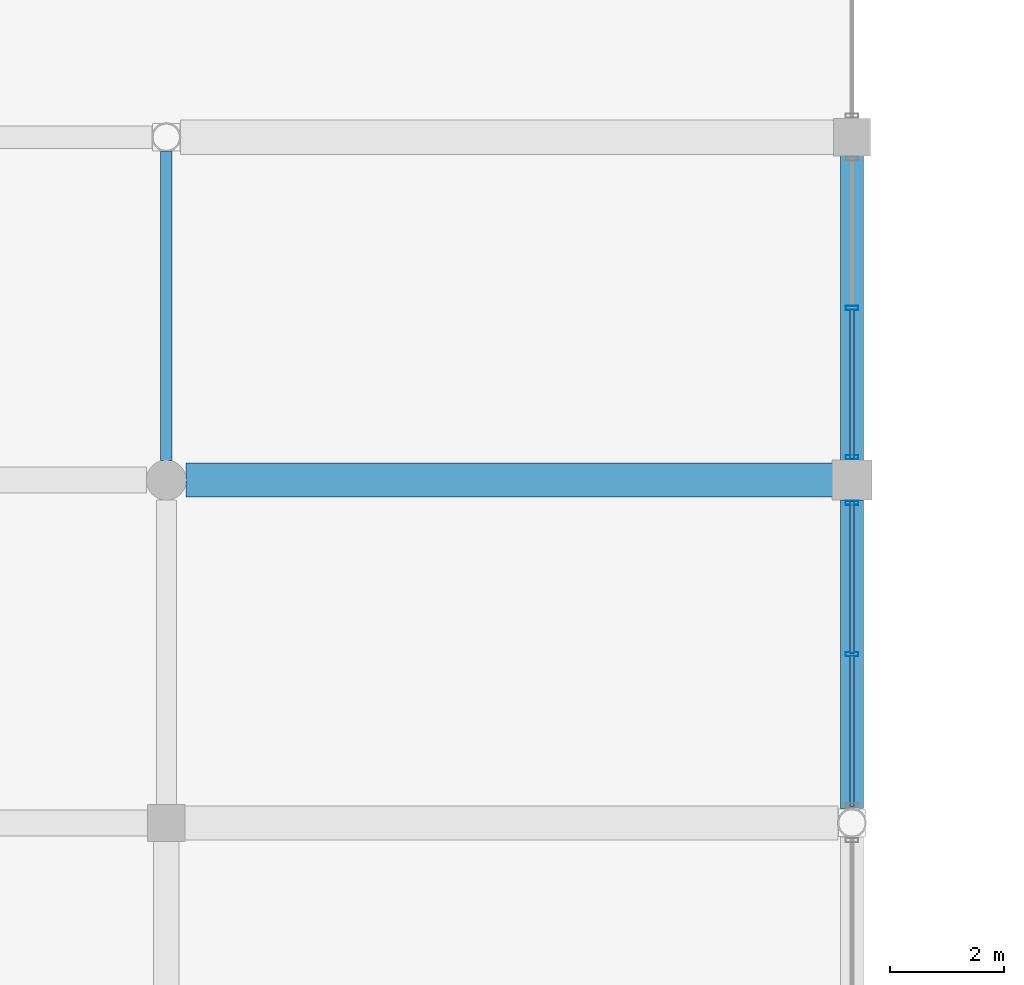
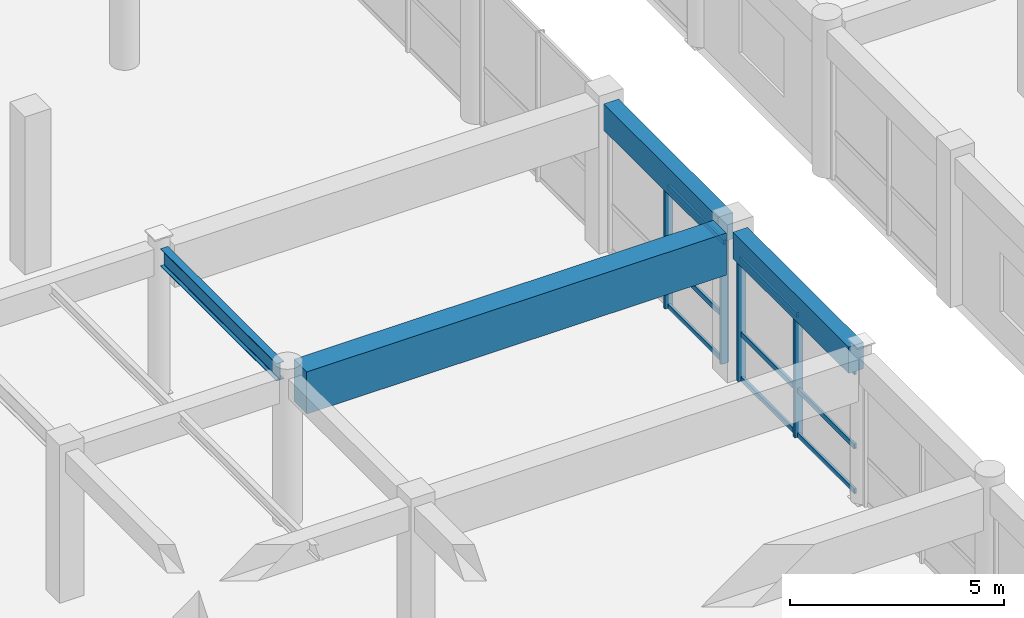
# One storey, part 53 of 116: 13 members, 4 beams, 2 elements without a shape of their own.
"""IFC4 building model written with IfcOpenShell, lengths in metres."""

from ifc_helpers import new_model, si_unit, direction, frame, origin, origin_2d, place, context, subcontext, project, spatial, rectangle, hollow_rectangle, i_section, extrude, material, material_profile, profile_set, type_object, element, aggregate, save


model = new_model("IFC4")

# Units and contexts
model_context = context("Model", 3, precision=1e-05, world=origin(), true_north=direction((0.0, 1.0)))
body_context = subcontext(model_context, "Body", "Model", "MODEL_VIEW")
ifc_project = project(units=[si_unit("LENGTHUNIT", "METRE"), si_unit("AREAUNIT", "SQUARE_METRE"), si_unit("VOLUMEUNIT", "CUBIC_METRE"), si_unit("PLANEANGLEUNIT", "RADIAN"), si_unit("MASSUNIT", "GRAM", prefix="KILO"), si_unit("THERMODYNAMICTEMPERATUREUNIT", "KELVIN"), si_unit("POWERUNIT", "WATT")], contexts=[model_context])

# Site, building, storey
site_placement = place(None, origin())
site = spatial("IfcSite", under=ifc_project, at=site_placement, CompositionType="ELEMENT")
building_placement = place(site_placement, origin())
building = spatial("IfcBuilding", under=site, at=building_placement, Name="Phaisarnlok Congress Hotel", CompositionType="ELEMENT")
storey_placement = place(building_placement, frame((0.0, 0.0, 10.5)))
storey = spatial("IfcBuildingStorey", under=building, at=storey_placement, Name="L02", CompositionType="ELEMENT", Elevation=10.5)

# Beams
ifc_material_1 = material(Name="Concrete C50/60", Category="concrete")
ifc_material_profile_1 = material_profile(ifc_material_1, rectangle(XDim=0.60009765625, YDim=1.199951171875, at=origin_2d()), Name="RC 600x1200")
ifc_profile_set_1 = profile_set([ifc_material_profile_1], Name="Concrete C50/60")
beam_type_1 = type_object("IfcBeamType", Name="BM-RC-600x1200", PredefinedType="BEAM", material=ifc_profile_set_1)
beam_1_placement = place(storey_placement, frame((144.344970703125, 60.0, 3.639892578125), z_axis=(1.0, 0.0, 0.0), x_axis=(0.0, 1.0, 0.0)))
element("IfcBeam", 1, at=beam_1_placement, inside=storey, type_object=beam_type_1, Name="Ramp bay 12m girder B-06", PredefinedType="BEAM", context=body_context, shape_type="SweptSolid", body=[
    extrude(rectangle(XDim=0.60009765625, YDim=1.199951171875, at=origin_2d()), origin(), (0.0, 0.0, 1.0), 11.31005859375),
])
ifc_material_2 = material(Name="Steel S355", Category="steel")
ifc_material_profile_2 = material_profile(ifc_material_2, i_section(OverallWidth=0.199951171875, OverallDepth=0.5, WebThickness=0.01025390625, FlangeThickness=0.01611328125, FilletRadius=0.02099609375, at=origin_2d()), Name="IPE 500")
ifc_profile_set_2 = profile_set([ifc_material_profile_2], Name="Steel S355")
beam_type_2 = type_object("IfcBeamType", Name="BM-STL-IPE500", PredefinedType="BEAM", material=ifc_profile_set_2)
beam_2_placement = place(storey_placement, frame((144.0, 60.344970703125, 3.989990234375), z_axis=(0.0, 1.0, 0.0), x_axis=(-1.0, 0.0, 0.0)))
element("IfcBeam", 2, at=beam_2_placement, inside=storey, type_object=beam_type_2, Name="Beam SB-02", PredefinedType="BEAM", context=body_context, shape_type="SweptSolid", body=[
    extrude(i_section(OverallWidth=0.199951171875, OverallDepth=0.5, WebThickness=0.01025390625, FlangeThickness=0.01611328125, FilletRadius=0.02099609375, at=origin_2d()), origin(), (0.0, 0.0, 1.0), 5.406005859375),
])

# Curtain wall, members
ifc_material_3 = material(Name="Thermally Broken Unitised Aluminium & Low-E Glazing", Category="aluminium")
curtain_wall_type_1 = type_object("IfcCurtainWallType", Name="CW-UNIT-17", PredefinedType="NOTDEFINED", material=ifc_material_3)
curtain_wall_1_placement = place(storey_placement, origin())
curtain_wall_1 = element("IfcCurtainWall", 3, at=curtain_wall_1_placement, inside=storey, type_object=curtain_wall_type_1, Name="Unitised curtain wall CW-17 (L02)", PredefinedType="NOTDEFINED")
ifc_material_4 = material(Name="Anodised Aluminium Alloy 6063-T6", Category="aluminium")
ifc_material_profile_3 = material_profile(ifc_material_4, hollow_rectangle(XDim=0.074951171875, YDim=0.219970703125, WallThickness=0.0048828125, at=origin_2d()), Name="ALU-M 75x220x5")
ifc_profile_set_3 = profile_set([ifc_material_profile_3], Name="Anodised Aluminium Alloy 6063-T6")
member_type_1 = type_object("IfcMemberType", Name="CWM-220", PredefinedType="MULLION", material=ifc_profile_set_3)
member_1_placement = place(storey_placement, frame((156.0, 56.951904296875, 0.0), z_axis=(0.0, 0.0, 1.0), x_axis=(0.0, 1.0, 0.0)))
member_1 = element("IfcMember", 4, at=member_1_placement, type_object=member_type_1, Name="Curtain wall mullion CWM-02", PredefinedType="MULLION", context=body_context, shape_type="SweptSolid", body=[
    extrude(hollow_rectangle(XDim=0.074951171875, YDim=0.219970703125, WallThickness=0.0048828125, at=origin_2d()), origin(), (0.0, 0.0, 1.0), 3.489990234375),
])
member_2_placement = place(storey_placement, frame((156.0, 59.60009765625, 0.0), z_axis=(0.0, 0.0, 1.0), x_axis=(0.0, 1.0, 0.0)))
member_2 = element("IfcMember", 5, at=member_2_placement, type_object=member_type_1, Name="Curtain wall mullion CWM-02", PredefinedType="MULLION", context=body_context, shape_type="SweptSolid", body=[
    extrude(hollow_rectangle(XDim=0.074951171875, YDim=0.219970703125, WallThickness=0.0048828125, at=origin_2d()), origin(), (0.0, 0.0, 1.0), 3.489990234375),
])

curtain_wall_type_2 = type_object("IfcCurtainWallType", Name="CW-UNIT-16", PredefinedType="NOTDEFINED", material=ifc_material_3)
curtain_wall_2_placement = place(storey_placement, origin())
curtain_wall_2 = element("IfcCurtainWall", 6, at=curtain_wall_2_placement, inside=storey, type_object=curtain_wall_type_2, Name="Unitised curtain wall CW-16 (L02)", PredefinedType="NOTDEFINED")
member_3_placement = place(storey_placement, frame((156.0, 60.39990234375, 0.0), z_axis=(0.0, 0.0, 1.0), x_axis=(0.0, 1.0, 0.0)))
member_3 = element("IfcMember", 7, at=member_3_placement, type_object=member_type_1, Name="Curtain wall mullion CWM-02", PredefinedType="MULLION", context=body_context, shape_type="SweptSolid", body=[
    extrude(hollow_rectangle(XDim=0.074951171875, YDim=0.219970703125, WallThickness=0.0048828125, at=origin_2d()), origin(), (0.0, 0.0, 1.0), 3.489990234375),
])
member_4_placement = place(storey_placement, frame((156.0, 63.012451171875, 0.0), z_axis=(0.0, 0.0, 1.0), x_axis=(0.0, 1.0, 0.0)))
member_4 = element("IfcMember", 8, at=member_4_placement, type_object=member_type_1, Name="Curtain wall mullion CWM-02", PredefinedType="MULLION", context=body_context, shape_type="SweptSolid", body=[
    extrude(hollow_rectangle(XDim=0.074951171875, YDim=0.219970703125, WallThickness=0.0048828125, at=origin_2d()), origin(), (0.0, 0.0, 1.0), 3.489990234375),
])

# Member
ifc_material_profile_4 = material_profile(ifc_material_4, hollow_rectangle(XDim=0.06494140625, YDim=0.139892578125, WallThickness=0.00390625, at=origin_2d()), Name="ALU-T 65x140x4")
ifc_profile_set_4 = profile_set([ifc_material_profile_4], Name="Anodised Aluminium Alloy 6063-T6")
member_type_2 = type_object("IfcMemberType", Name="CWT-150", PredefinedType="USERDEFINED", material=ifc_profile_set_4)
member_5_placement = place(storey_placement, frame((156.0, 54.279052734375, 0.050048828125), z_axis=(0.0, 1.0, 0.0), x_axis=(-1.0, 0.0, 0.0)))
member_5 = element("IfcMember", 9, at=member_5_placement, type_object=member_type_2, Name="Curtain wall transom CWT-01", ObjectType="TRANSOM", PredefinedType="USERDEFINED", context=body_context, shape_type="SweptSolid", body=[
    extrude(hollow_rectangle(XDim=0.06494140625, YDim=0.139892578125, WallThickness=0.00390625, at=origin_2d()), origin(), (0.0, 0.0, 1.0), 2.657958984375),
])

member_6_placement = place(storey_placement, frame((156.0, 54.279052734375, 1.326171875), z_axis=(0.0, 1.0, 0.0), x_axis=(-1.0, 0.0, 0.0)))
member_6 = element("IfcMember", 10, at=member_6_placement, type_object=member_type_2, Name="Curtain wall transom CWT-01", ObjectType="TRANSOM", PredefinedType="USERDEFINED", context=body_context, shape_type="SweptSolid", body=[
    extrude(hollow_rectangle(XDim=0.06494140625, YDim=0.139892578125, WallThickness=0.00390625, at=origin_2d()), origin(), (0.0, 0.0, 1.0), 2.657958984375),
])

member_7_placement = place(storey_placement, frame((156.0, 54.279052734375, 3.43994140625), z_axis=(0.0, 1.0, 0.0), x_axis=(-1.0, 0.0, 0.0)))
member_7 = element("IfcMember", 11, at=member_7_placement, type_object=member_type_2, Name="Curtain wall transom CWT-01", ObjectType="TRANSOM", PredefinedType="USERDEFINED", context=body_context, shape_type="SweptSolid", body=[
    extrude(hollow_rectangle(XDim=0.06494140625, YDim=0.139892578125, WallThickness=0.00390625, at=origin_2d()), origin(), (0.0, 0.0, 1.0), 2.657958984375),
])

member_8_placement = place(storey_placement, frame((156.0, 56.967041015625, 0.050048828125), z_axis=(0.0, 1.0, 0.0), x_axis=(-1.0, 0.0, 0.0)))
member_8 = element("IfcMember", 12, at=member_8_placement, type_object=member_type_2, Name="Curtain wall transom CWT-01", ObjectType="TRANSOM", PredefinedType="USERDEFINED", context=body_context, shape_type="SweptSolid", body=[
    extrude(hollow_rectangle(XDim=0.06494140625, YDim=0.139892578125, WallThickness=0.00390625, at=origin_2d()), origin(), (0.0, 0.0, 1.0), 2.657958984375),
])

member_9_placement = place(storey_placement, frame((156.0, 56.967041015625, 1.326171875), z_axis=(0.0, 1.0, 0.0), x_axis=(-1.0, 0.0, 0.0)))
member_9 = element("IfcMember", 13, at=member_9_placement, type_object=member_type_2, Name="Curtain wall transom CWT-01", ObjectType="TRANSOM", PredefinedType="USERDEFINED", context=body_context, shape_type="SweptSolid", body=[
    extrude(hollow_rectangle(XDim=0.06494140625, YDim=0.139892578125, WallThickness=0.00390625, at=origin_2d()), origin(), (0.0, 0.0, 1.0), 2.657958984375),
])

member_10_placement = place(storey_placement, frame((156.0, 56.967041015625, 3.43994140625), z_axis=(0.0, 1.0, 0.0), x_axis=(-1.0, 0.0, 0.0)))
member_10 = element("IfcMember", 14, at=member_10_placement, type_object=member_type_2, Name="Curtain wall transom CWT-01", ObjectType="TRANSOM", PredefinedType="USERDEFINED", context=body_context, shape_type="SweptSolid", body=[
    extrude(hollow_rectangle(XDim=0.06494140625, YDim=0.139892578125, WallThickness=0.00390625, at=origin_2d()), origin(), (0.0, 0.0, 1.0), 2.657958984375),
])

aggregate(curtain_wall_1, [member_1, member_2, member_5, member_6, member_7, member_8, member_9, member_10])

member_11_placement = place(storey_placement, frame((156.0, 60.375, 0.050048828125), z_axis=(0.0, 1.0, 0.0), x_axis=(-1.0, 0.0, 0.0)))
member_11 = element("IfcMember", 15, at=member_11_placement, type_object=member_type_2, Name="Curtain wall transom CWT-01", ObjectType="TRANSOM", PredefinedType="USERDEFINED", context=body_context, shape_type="SweptSolid", body=[
    extrude(hollow_rectangle(XDim=0.06494140625, YDim=0.139892578125, WallThickness=0.00390625, at=origin_2d()), origin(), (0.0, 0.0, 1.0), 2.62255859375),
])

member_12_placement = place(storey_placement, frame((156.0, 60.375, 1.326171875), z_axis=(0.0, 1.0, 0.0), x_axis=(-1.0, 0.0, 0.0)))
member_12 = element("IfcMember", 16, at=member_12_placement, type_object=member_type_2, Name="Curtain wall transom CWT-01", ObjectType="TRANSOM", PredefinedType="USERDEFINED", context=body_context, shape_type="SweptSolid", body=[
    extrude(hollow_rectangle(XDim=0.06494140625, YDim=0.139892578125, WallThickness=0.00390625, at=origin_2d()), origin(), (0.0, 0.0, 1.0), 2.62255859375),
])

member_13_placement = place(storey_placement, frame((156.0, 60.375, 3.43994140625), z_axis=(0.0, 1.0, 0.0), x_axis=(-1.0, 0.0, 0.0)))
member_13 = element("IfcMember", 17, at=member_13_placement, type_object=member_type_2, Name="Curtain wall transom CWT-01", ObjectType="TRANSOM", PredefinedType="USERDEFINED", context=body_context, shape_type="SweptSolid", body=[
    extrude(hollow_rectangle(XDim=0.06494140625, YDim=0.139892578125, WallThickness=0.00390625, at=origin_2d()), origin(), (0.0, 0.0, 1.0), 2.62255859375),
])

aggregate(curtain_wall_2, [member_3, member_4, member_11, member_12, member_13])

# Beams
ifc_material_5 = material(Name="Concrete C40/50", Category="concrete")
ifc_material_profile_5 = material_profile(ifc_material_5, rectangle(XDim=0.39990234375, YDim=0.75, at=origin_2d()), Name="RC 400x750")
ifc_profile_set_5 = profile_set([ifc_material_profile_5], Name="Concrete C40/50")
beam_type_3 = type_object("IfcBeamType", Name="SP-RC-400x750", PredefinedType="SPANDREL", material=ifc_profile_set_5)
beam_3_placement = place(storey_placement, frame((156.0, 54.2490234375, 3.864990234375), z_axis=(0.0, 1.0, 0.0), x_axis=(-1.0, 0.0, 0.0)))
element("IfcBeam", 18, at=beam_3_placement, inside=storey, type_object=beam_type_3, Name="Beam SP-02", PredefinedType="SPANDREL", context=body_context, shape_type="SweptSolid", body=[
    extrude(rectangle(XDim=0.39990234375, YDim=0.75, at=origin_2d()), origin(), (0.0, 0.0, 1.0), 5.406005859375),
])
beam_4_placement = place(storey_placement, frame((156.0, 60.344970703125, 3.864990234375), z_axis=(0.0, 1.0, 0.0), x_axis=(-1.0, 0.0, 0.0)))
element("IfcBeam", 19, at=beam_4_placement, inside=storey, type_object=beam_type_3, Name="Beam SP-02", PredefinedType="SPANDREL", context=body_context, shape_type="SweptSolid", body=[
    extrude(rectangle(XDim=0.39990234375, YDim=0.75, at=origin_2d()), origin(), (0.0, 0.0, 1.0), 5.3349609375),
])

save(model, "model.ifc")
